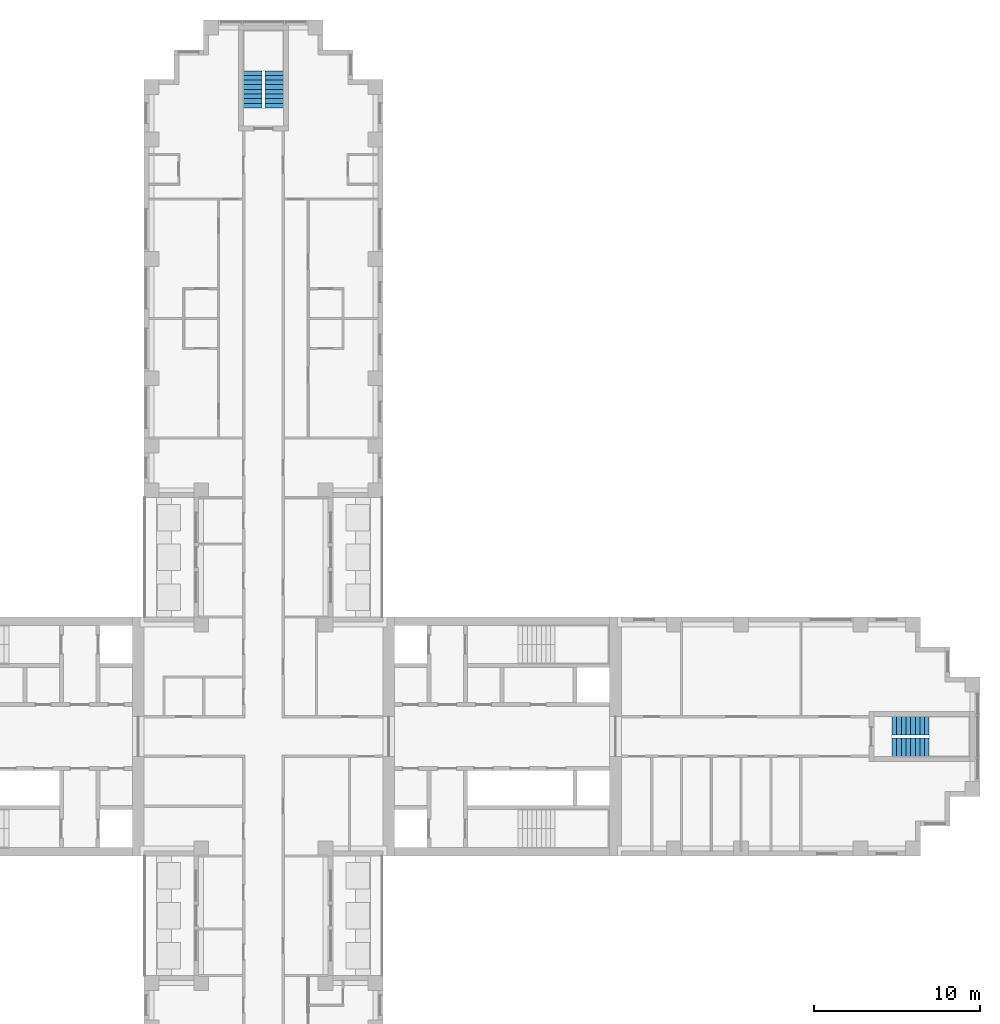
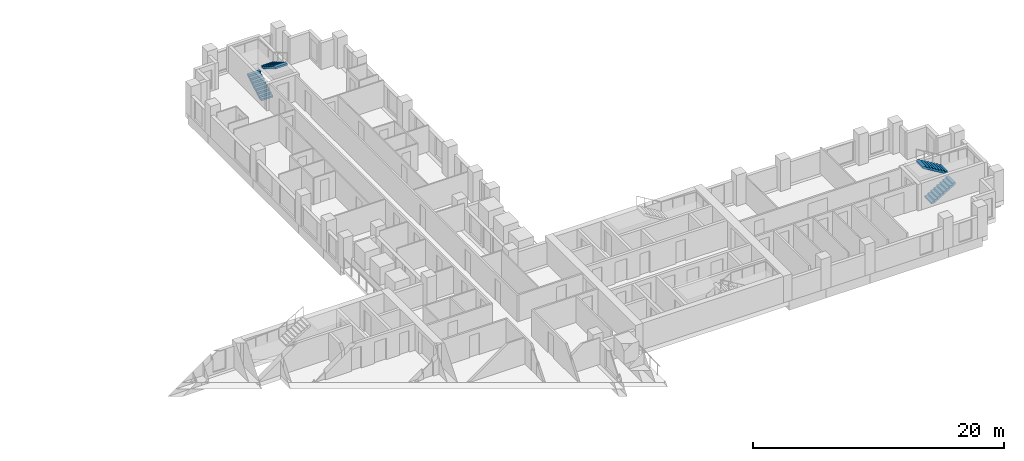
# One storey, part 14 of 16: 4 stair flights, 2 elements without a shape of their own.
"""IFC4 building model written with IfcOpenShell, lengths in metres."""

from ifc_helpers import new_model, si_unit, direction, frame, origin, place, context, subcontext, project, spatial, polyline, outline, extrude, material, type_object, element, aggregate, save


model = new_model("IFC4")

# Units and contexts
model_context = context("Model", 3, precision=1e-05, world=origin(), true_north=direction((0.0, 1.0)))
body_context = subcontext(model_context, "Body", "Model", "MODEL_VIEW")
ifc_project = project(units=[si_unit("LENGTHUNIT", "METRE"), si_unit("AREAUNIT", "SQUARE_METRE"), si_unit("VOLUMEUNIT", "CUBIC_METRE"), si_unit("PLANEANGLEUNIT", "RADIAN"), si_unit("MASSUNIT", "GRAM", prefix="KILO")], contexts=[model_context])

# Site, building, storey
site_placement = place(None, origin())
site = spatial("IfcSite", under=ifc_project, at=site_placement, CompositionType="ELEMENT")
building_placement = place(site_placement, origin())
building = spatial("IfcBuilding", under=site, at=building_placement, Name="Fustian Cross Tower", CompositionType="ELEMENT")
storey_placement = place(building_placement, frame((0.0, 0.0, 26.699951171875)))
storey = spatial("IfcBuildingStorey", under=building, at=storey_placement, Name="L07", CompositionType="ELEMENT", Elevation=26.699951171875)

# Stair, stair flights
ifc_material_1 = material(Name="Concrete C50/60", Category="concrete")
stair_type = type_object("IfcStairType", Name="STAIR 1100 HALF TURN", PredefinedType="HALF_TURN_STAIR", material=ifc_material_1)
stair_1_placement = place(storey_placement, origin())
stair_1 = element("IfcStair", 1, at=stair_1_placement, inside=storey, type_object=stair_type, Name="Stair ST5", PredefinedType="HALF_TURN_STAIR")
ifc_material_2 = material(Name="Concrete C50/60", Category="concrete")
stair_flight_type = type_object("IfcStairFlightType", Name="STAIR FLIGHT 1100", PredefinedType="STRAIGHT", material=ifc_material_2)
stair_flight_1_placement = place(storey_placement, frame((-0.64990234375, 37.89990234375, 0.0), z_axis=(0.0, 0.0, 1.0), x_axis=(0.0, 1.0, 0.0)))
stair_flight_1 = element("IfcStairFlight", 2, at=stair_flight_1_placement, type_object=stair_flight_type, Name="ST5 flight 1", NumberOfRisers=9, NumberOfTreads=8, PredefinedType="STRAIGHT", RiserHeight=0.166666667, TreadLength=0.28, context=body_context, shape_type="SweptSolid", body=[
    extrude(outline(polyline([(0.0, 0.0), (0.0, 0.166748046875), (0.280029296875, 0.166748046875), (0.280029296875, 0.333251953125), (0.56005859375, 0.333251953125), (0.56005859375, 0.5), (0.840087890625, 0.5), (0.840087890625, 0.666748046875), (1.1201171875, 0.666748046875), (1.1201171875, 0.833251953125), (1.39990234375, 0.833251953125), (1.39990234375, 1.0), (1.679931640625, 1.0), (1.679931640625, 1.166748046875), (1.9599609375, 1.166748046875), (1.9599609375, 1.333251953125), (2.239990234375, 1.333251953125), (2.239990234375, 1.5), (2.239990234375, 1.158935546875), (0.29296875, 0.0), (0.0, 0.0)])), frame((0.0, 0.550048828125, 0.0), z_axis=(0.0, -1.0, 0.0), x_axis=(1.0, 0.0, 0.0)), (0.0, 0.0, 1.0), 1.10009765625),
])
stair_flight_2_placement = place(storey_placement, frame((0.64990234375, 40.139892578125, 1.5), z_axis=(0.0, 0.0, 1.0), x_axis=(0.0, -1.0, 0.0)))
stair_flight_2 = element("IfcStairFlight", 3, at=stair_flight_2_placement, type_object=stair_flight_type, Name="ST5 flight 2", NumberOfRisers=9, NumberOfTreads=8, PredefinedType="STRAIGHT", RiserHeight=0.166666667, TreadLength=0.28, context=body_context, shape_type="SweptSolid", body=[
    extrude(outline(polyline([(0.0, 0.0), (0.0, 0.166748046875), (0.280029296875, 0.166748046875), (0.280029296875, 0.333251953125), (0.56005859375, 0.333251953125), (0.56005859375, 0.5), (0.840087890625, 0.5), (0.840087890625, 0.666748046875), (1.1201171875, 0.666748046875), (1.1201171875, 0.833251953125), (1.39990234375, 0.833251953125), (1.39990234375, 1.0), (1.679931640625, 1.0), (1.679931640625, 1.166748046875), (1.9599609375, 1.166748046875), (1.9599609375, 1.333251953125), (2.239990234375, 1.333251953125), (2.239990234375, 1.5), (2.239990234375, 1.158935546875), (0.29296875, 0.0), (0.0, 0.0)])), frame((0.0, 0.550048828125, 0.0), z_axis=(0.0, -1.0, 0.0), x_axis=(1.0, 0.0, 0.0)), (0.0, 0.0, 1.0), 1.10009765625),
])
aggregate(stair_1, [stair_flight_1, stair_flight_2])

stair_2_placement = place(storey_placement, origin())
stair_2 = element("IfcStair", 4, at=stair_2_placement, inside=storey, type_object=stair_type, Name="Stair ST8", PredefinedType="HALF_TURN_STAIR")
stair_flight_3_placement = place(storey_placement, frame((37.89990234375, -0.64990234375, 0.0), z_axis=(0.0, 0.0, 1.0), x_axis=(1.0, 0.0, 0.0)))
stair_flight_3 = element("IfcStairFlight", 5, at=stair_flight_3_placement, type_object=stair_flight_type, Name="ST8 flight 1", NumberOfRisers=9, NumberOfTreads=8, PredefinedType="STRAIGHT", RiserHeight=0.166666667, TreadLength=0.28, context=body_context, shape_type="SweptSolid", body=[
    extrude(outline(polyline([(0.0, 0.0), (0.0, 0.166748046875), (0.280029296875, 0.166748046875), (0.280029296875, 0.333251953125), (0.56005859375, 0.333251953125), (0.56005859375, 0.5), (0.840087890625, 0.5), (0.840087890625, 0.666748046875), (1.1201171875, 0.666748046875), (1.1201171875, 0.833251953125), (1.39990234375, 0.833251953125), (1.39990234375, 1.0), (1.679931640625, 1.0), (1.679931640625, 1.166748046875), (1.9599609375, 1.166748046875), (1.9599609375, 1.333251953125), (2.239990234375, 1.333251953125), (2.239990234375, 1.5), (2.239990234375, 1.158935546875), (0.29296875, 0.0), (0.0, 0.0)])), frame((0.0, 0.550048828125, 0.0), z_axis=(0.0, -1.0, 0.0), x_axis=(1.0, 0.0, 0.0)), (0.0, 0.0, 1.0), 1.10009765625),
])
stair_flight_4_placement = place(storey_placement, frame((40.139892578125, 0.64990234375, 1.5), z_axis=(0.0, 0.0, 1.0), x_axis=(-1.0, 0.0, 0.0)))
stair_flight_4 = element("IfcStairFlight", 6, at=stair_flight_4_placement, type_object=stair_flight_type, Name="ST8 flight 2", NumberOfRisers=9, NumberOfTreads=8, PredefinedType="STRAIGHT", RiserHeight=0.166666667, TreadLength=0.28, context=body_context, shape_type="SweptSolid", body=[
    extrude(outline(polyline([(0.0, 0.0), (0.0, 0.166748046875), (0.280029296875, 0.166748046875), (0.280029296875, 0.333251953125), (0.56005859375, 0.333251953125), (0.56005859375, 0.5), (0.840087890625, 0.5), (0.840087890625, 0.666748046875), (1.1201171875, 0.666748046875), (1.1201171875, 0.833251953125), (1.39990234375, 0.833251953125), (1.39990234375, 1.0), (1.679931640625, 1.0), (1.679931640625, 1.166748046875), (1.9599609375, 1.166748046875), (1.9599609375, 1.333251953125), (2.239990234375, 1.333251953125), (2.239990234375, 1.5), (2.239990234375, 1.158935546875), (0.29296875, 0.0), (0.0, 0.0)])), frame((0.0, 0.550048828125, 0.0), z_axis=(0.0, -1.0, 0.0), x_axis=(1.0, 0.0, 0.0)), (0.0, 0.0, 1.0), 1.10009765625),
])
aggregate(stair_2, [stair_flight_3, stair_flight_4])

save(model, "model.ifc")
